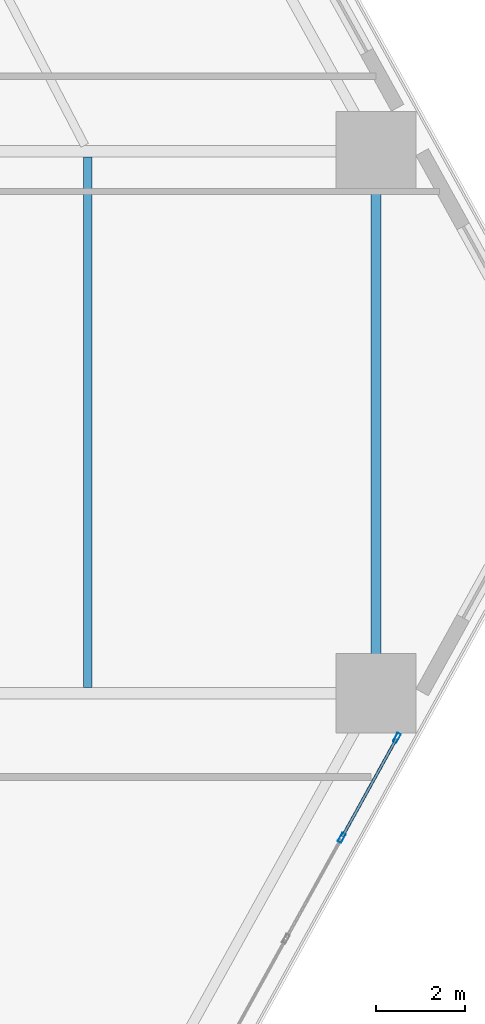
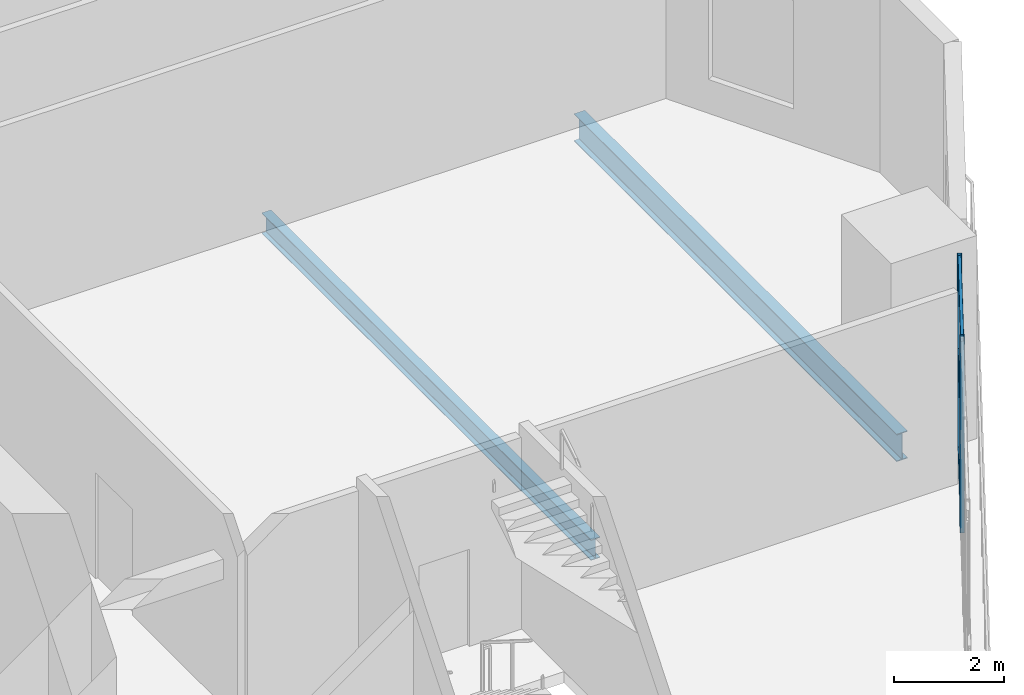
# One storey, part 4 of 18: 5 members, 2 beams, 1 element without a shape of its own.
"""IFC4 building model written with IfcOpenShell, lengths in metres."""

from ifc_helpers import new_model, si_unit, direction, frame, origin, origin_2d, place, context, subcontext, project, spatial, hollow_rectangle, i_section, extrude, material, layer, layer_set, material_profile, profile_set, type_object, element, aggregate, save


model = new_model("IFC4")

# Units and contexts
model_context = context("Model", 3, precision=1e-05, world=origin(), true_north=direction((0.0, 1.0)))
body_context = subcontext(model_context, "Body", "Model", "MODEL_VIEW")
ifc_project = project(units=[si_unit("LENGTHUNIT", "METRE"), si_unit("AREAUNIT", "SQUARE_METRE"), si_unit("VOLUMEUNIT", "CUBIC_METRE"), si_unit("PLANEANGLEUNIT", "RADIAN"), si_unit("MASSUNIT", "GRAM", prefix="KILO")], contexts=[model_context])

# Site, building, storey
site_placement = place(None, origin())
site = spatial("IfcSite", under=ifc_project, at=site_placement, CompositionType="ELEMENT")
building_placement = place(site_placement, origin())
building = spatial("IfcBuilding", under=site, at=building_placement, Name="Cinnabar Lancet Tower", CompositionType="ELEMENT")
storey_placement = place(building_placement, frame((0.0, 0.0, 10.5)))
storey = spatial("IfcBuildingStorey", under=building, at=storey_placement, Name="L02", CompositionType="ELEMENT", Elevation=10.5)

# Curtain wall, members
ifc_material_1 = material(Name="Thermally broken bronze-anodized aluminium and low-E glass", Category="aluminium")
ifc_layer = layer(ifc_material_1, 0.179931640625)
ifc_layer_set = layer_set([ifc_layer], Name="Thermally broken bronze-anodized aluminium and low-E glass")
curtain_wall_type = type_object("IfcCurtainWallType", Name="ENV-CW-SYS-02", PredefinedType="NOTDEFINED", material=ifc_layer_set)
curtain_wall_placement = place(storey_placement, origin())
curtain_wall = element("IfcCurtainWall", 1, at=curtain_wall_placement, inside=storey, type_object=curtain_wall_type, Name="L02 Face 2 Feature Curtain Wall", PredefinedType="NOTDEFINED")
ifc_material_2 = material(Name="Anodized architectural aluminium 6063-T6", Category="aluminium")
ifc_material_profile_1 = material_profile(ifc_material_2, hollow_rectangle(XDim=0.0849609375, YDim=0.219970703125, WallThickness=0.0048828125, InnerFilletRadius=0.00244140625, OuterFilletRadius=0.007568359375, at=origin_2d()), Name="CW-MUL 220x85x5")
ifc_profile_set_1 = profile_set([ifc_material_profile_1], Name="Anodized architectural aluminium 6063-T6")
member_type_1 = type_object("IfcMemberType", Name="ENV-CW-MUL-220", PredefinedType="MULLION", material=ifc_profile_set_1)
member_1_placement = place(storey_placement, frame((59.1220703125, 16.432861328125, 0.0), z_axis=(0.0, 0.0, 1.0), x_axis=(-0.875242391442, 0.48368456273, 0.0)))
member_1 = element("IfcMember", 2, at=member_1_placement, type_object=member_type_1, Name="CW-02 mullion 5", PredefinedType="MULLION", context=body_context, shape_type="SweptSolid", body=[
    extrude(hollow_rectangle(XDim=0.0849609375, YDim=0.219970703125, WallThickness=0.0048828125, InnerFilletRadius=0.00244140625, OuterFilletRadius=0.007568359375, at=origin_2d()), origin(), (0.0, 0.0, 1.0), 4.25),
])
member_2_placement = place(storey_placement, frame((60.366455078125, 18.684814453125, 0.0), z_axis=(0.0, 0.0, 1.0), x_axis=(-0.875242391442, 0.48368456273, 0.0)))
member_2 = element("IfcMember", 3, at=member_2_placement, type_object=member_type_1, Name="CW-02 mullion 6", PredefinedType="MULLION", context=body_context, shape_type="SweptSolid", body=[
    extrude(hollow_rectangle(XDim=0.0849609375, YDim=0.219970703125, WallThickness=0.0048828125, InnerFilletRadius=0.00244140625, OuterFilletRadius=0.007568359375, at=origin_2d()), origin(), (0.0, 0.0, 1.0), 4.25),
])
ifc_material_3 = material(Name="Anodized architectural aluminium 6063-T6", Category="aluminium")
ifc_material_profile_2 = material_profile(ifc_material_3, hollow_rectangle(XDim=0.06494140625, YDim=0.14990234375, WallThickness=0.00390625, InnerFilletRadius=0.001953125, OuterFilletRadius=0.006103515625, at=origin_2d()), Name="CW-TRN 150x65x4")
ifc_profile_set_2 = profile_set([ifc_material_profile_2], Name="Anodized architectural aluminium 6063-T6")
member_type_2 = type_object("IfcMemberType", Name="ENV-CW-TRN-160", PredefinedType="USERDEFINED", material=ifc_profile_set_2)
member_3_placement = place(storey_placement, frame((59.136474609375, 16.458984375, 0.030029296875), z_axis=(0.483711571576, 0.875227465019, 0.0), x_axis=(-0.875227465019, 0.483711571576, 0.0)))
member_3 = element("IfcMember", 4, at=member_3_placement, type_object=member_type_2, Name="CW-02 transom 5.1", ObjectType="TRANSOM", PredefinedType="USERDEFINED", context=body_context, shape_type="SweptSolid", body=[
    extrude(hollow_rectangle(XDim=0.06494140625, YDim=0.14990234375, WallThickness=0.00390625, InnerFilletRadius=0.001953125, OuterFilletRadius=0.006103515625, at=origin_2d()), origin(), (0.0, 0.0, 1.0), 2.512939453125),
])
member_4_placement = place(storey_placement, frame((59.136474609375, 16.458984375, 2.2099609375), z_axis=(0.483711571576, 0.875227465019, 0.0), x_axis=(-0.875227465019, 0.483711571576, 0.0)))
member_4 = element("IfcMember", 5, at=member_4_placement, type_object=member_type_2, Name="CW-02 transom 5.2", ObjectType="TRANSOM", PredefinedType="USERDEFINED", context=body_context, shape_type="SweptSolid", body=[
    extrude(hollow_rectangle(XDim=0.06494140625, YDim=0.14990234375, WallThickness=0.00390625, InnerFilletRadius=0.001953125, OuterFilletRadius=0.006103515625, at=origin_2d()), origin(), (0.0, 0.0, 1.0), 2.512939453125),
])
member_5_placement = place(storey_placement, frame((59.136474609375, 16.458984375, 4.219970703125), z_axis=(0.483711571576, 0.875227465019, 0.0), x_axis=(-0.875227465019, 0.483711571576, 0.0)))
member_5 = element("IfcMember", 6, at=member_5_placement, type_object=member_type_2, Name="CW-02 transom 5.3", ObjectType="TRANSOM", PredefinedType="USERDEFINED", context=body_context, shape_type="SweptSolid", body=[
    extrude(hollow_rectangle(XDim=0.06494140625, YDim=0.14990234375, WallThickness=0.00390625, InnerFilletRadius=0.001953125, OuterFilletRadius=0.006103515625, at=origin_2d()), origin(), (0.0, 0.0, 1.0), 2.512939453125),
])
aggregate(curtain_wall, [member_1, member_2, member_3, member_4, member_5])

# Beams
ifc_material_4 = material(Name="Structural steel S355", Category="steel")
ifc_material_profile_3 = material_profile(ifc_material_4, i_section(OverallWidth=0.1904296875, OverallDepth=0.45703125, WebThickness=0.009033203125, FlangeThickness=0.014404296875, FilletRadius=0.01025390625, at=origin_2d()), Name="UKB 457x191x74")
ifc_profile_set_3 = profile_set([ifc_material_profile_3], Name="Structural steel S355")
beam_type_1 = type_object("IfcBeamType", Name="STR-BM-JST-457", PredefinedType="JOIST", material=ifc_profile_set_3)
beam_1_placement = place(storey_placement, frame((53.39599609375, 19.824951171875, -0.47900390625), z_axis=(0.0, 1.0, 0.0), x_axis=(-1.0, 0.0, 0.0)))
element("IfcBeam", 7, at=beam_1_placement, inside=storey, type_object=beam_type_1, Name="L02 Secondary Floor Joist 1", PredefinedType="JOIST", context=body_context, shape_type="SweptSolid", body=[
    extrude(i_section(OverallWidth=0.1904296875, OverallDepth=0.45703125, WebThickness=0.009033203125, FlangeThickness=0.014404296875, FilletRadius=0.01025390625, at=origin_2d()), origin(), (0.0, 0.0, 1.0), 11.949951171875),
])
ifc_material_5 = material(Name="Structural steel S355", Category="steel")
ifc_material_profile_4 = material_profile(ifc_material_5, i_section(OverallWidth=0.228271484375, OverallDepth=0.607666015625, WebThickness=0.010986328125, FlangeThickness=0.017333984375, FilletRadius=0.0126953125, at=origin_2d()), Name="UKB 610x229x113")
ifc_profile_set_4 = profile_set([ifc_material_profile_4], Name="Structural steel S355")
beam_type_2 = type_object("IfcBeamType", Name="STR-BM-SPN-610", PredefinedType="SPANDREL", material=ifc_profile_set_4)
beam_2_placement = place(storey_placement, frame((59.89111328125, 19.94189453125, -0.553955078125), z_axis=(0.0, 1.0, 0.0), x_axis=(-1.0, 0.0, 0.0)))
element("IfcBeam", 8, at=beam_2_placement, inside=storey, type_object=beam_type_2, Name="L02 Perimeter Spandrel 4", PredefinedType="SPANDREL", context=body_context, shape_type="SweptSolid", body=[
    extrude(i_section(OverallWidth=0.228271484375, OverallDepth=0.607666015625, WebThickness=0.010986328125, FlangeThickness=0.017333984375, FilletRadius=0.0126953125, at=origin_2d()), origin(), (0.0, 0.0, 1.0), 11.716064453125),
])

save(model, "model.ifc")
